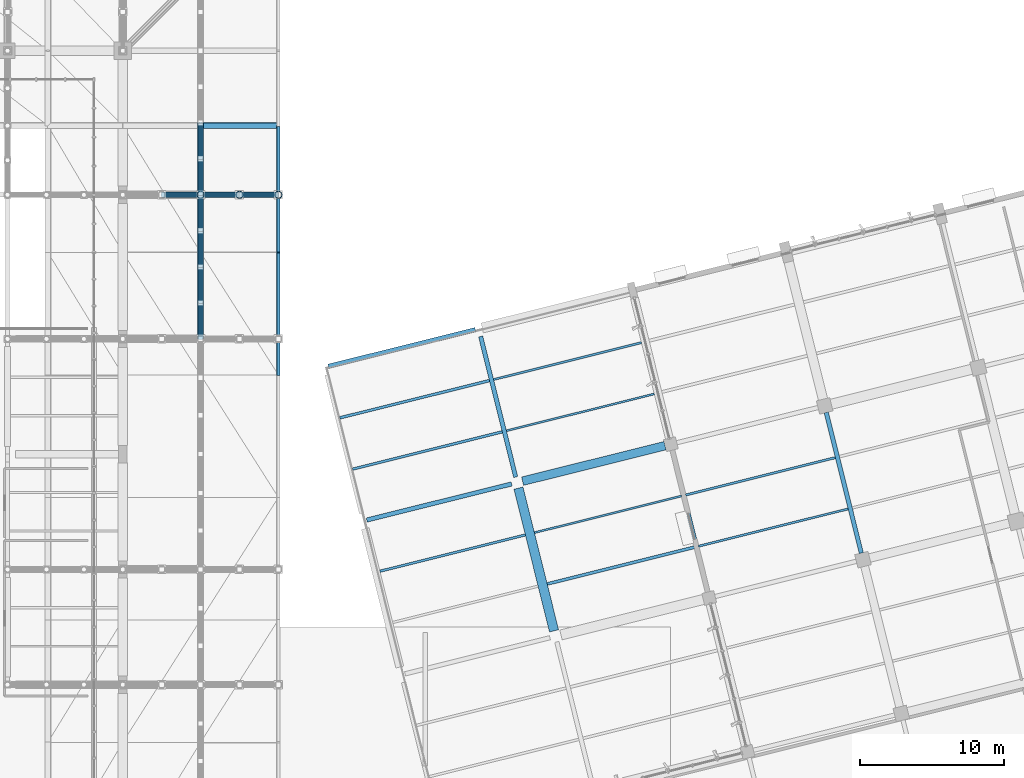
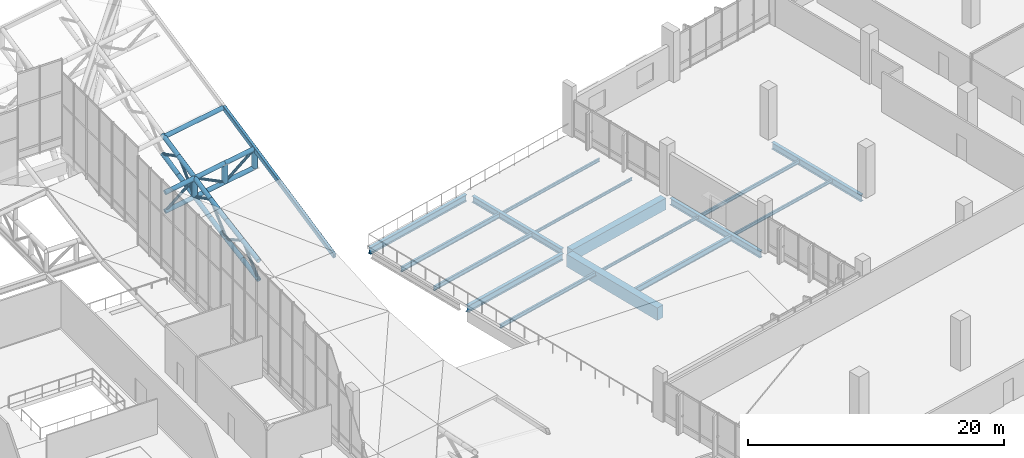
# One storey, part 88 of 137: 31 members, 18 beams.
"""IFC4 building model written with IfcOpenShell, lengths in metres."""

from ifc_helpers import new_model, si_unit, direction, frame, origin, origin_2d, place, context, subcontext, project, spatial, rectangle, hollow_rectangle, hollow_circle, i_section, extrude, material, material_profile, profile_set, type_object, element, save


model = new_model("IFC4")

# Units and contexts
model_context = context("Model", 3, precision=1e-05, world=origin(), true_north=direction((0.0, 1.0)))
body_context = subcontext(model_context, "Body", "Model", "MODEL_VIEW")
ifc_project = project(units=[si_unit("LENGTHUNIT", "METRE"), si_unit("AREAUNIT", "SQUARE_METRE"), si_unit("VOLUMEUNIT", "CUBIC_METRE"), si_unit("PLANEANGLEUNIT", "RADIAN"), si_unit("MASSUNIT", "GRAM", prefix="KILO")], contexts=[model_context])

# Site, building, storey
site_placement = place(None, origin())
site = spatial("IfcSite", under=ifc_project, at=site_placement, CompositionType="ELEMENT")
building_placement = place(site_placement, origin())
building = spatial("IfcBuilding", under=site, at=building_placement, Name="Khorjan Park Terminus", CompositionType="ELEMENT")
storey_placement = place(building_placement, frame((0.0, 0.0, 11.4)))
storey = spatial("IfcBuildingStorey", under=building, at=storey_placement, Name="L02", CompositionType="ELEMENT", Elevation=11.4)

# Beams
ifc_material_1 = material(Name="Steel S355", Category="steel")
ifc_material_profile_1 = material_profile(ifc_material_1, i_section(OverallWidth=0.3, OverallDepth=0.64, WebThickness=0.0135, FlangeThickness=0.026, FilletRadius=0.027, at=origin_2d()), Name="HEA 650")
ifc_profile_set_1 = profile_set([ifc_material_profile_1], Name="Steel S355")
beam_type_1 = type_object("IfcBeamType", Name="BM-HEA650", PredefinedType="BEAM", material=ifc_profile_set_1)
beam_1_placement = place(storey_placement, frame((152.932, 55.4255, -0.59), z_axis=(0.970296176779, 0.241920088722, 0.0), x_axis=(-0.241920088722, 0.970296176779, 0.0)))
element("IfcBeam", 1, at=beam_1_placement, inside=storey, type_object=beam_type_1, Name="Primary skew-grid floor girder SB-A65 (L02)", PredefinedType="BEAM", context=body_context, shape_type="SweptSolid", body=[
    extrude(i_section(OverallWidth=0.3, OverallDepth=0.64, WebThickness=0.0135, FlangeThickness=0.026, FilletRadius=0.027, at=origin_2d()), origin(), (0.0, 0.0, 1.0), 10.36),
])
beam_2_placement = place(storey_placement, frame((150.2709, 66.0988, -0.59), z_axis=(0.970295661671, 0.241922154716, 0.0), x_axis=(-0.241922154716, 0.970295661671, 0.0)))
element("IfcBeam", 2, at=beam_2_placement, inside=storey, type_object=beam_type_1, Name="Primary skew-grid floor girder SB-A65 (L02)", PredefinedType="BEAM", context=body_context, shape_type="SweptSolid", body=[
    extrude(i_section(OverallWidth=0.3, OverallDepth=0.64, WebThickness=0.0135, FlangeThickness=0.026, FilletRadius=0.027, at=origin_2d()), origin(), (0.0, 0.0, 1.0), 10.51),
])
beam_3_placement = place(storey_placement, frame((176.6003, 50.4228, -0.66), z_axis=(-0.241919549545, 0.97029631121, 0.0), x_axis=(-0.97029631121, -0.241919549545, 0.0)))
element("IfcBeam", 3, at=beam_3_placement, inside=storey, type_object=beam_type_1, Name="Primary skew-grid floor girder SB-A65 (L02)", PredefinedType="BEAM", context=body_context, shape_type="SweptSolid", body=[
    extrude(i_section(OverallWidth=0.3, OverallDepth=0.64, WebThickness=0.0135, FlangeThickness=0.026, FilletRadius=0.027, at=origin_2d()), origin(), (0.0, 0.0, 1.0), 10.16),
])
beam_4_placement = place(storey_placement, frame((187.2615, 53.1325, -0.66), z_axis=(-0.241920438591, 0.970296089548, 0.0), x_axis=(-0.970296089548, -0.241920438591, 0.0)))
element("IfcBeam", 4, at=beam_4_placement, inside=storey, type_object=beam_type_1, Name="Primary skew-grid floor girder SB-A65 (L02)", PredefinedType="BEAM", context=body_context, shape_type="SweptSolid", body=[
    extrude(i_section(OverallWidth=0.3, OverallDepth=0.64, WebThickness=0.0135, FlangeThickness=0.026, FilletRadius=0.027, at=origin_2d()), origin(), (0.0, 0.0, 1.0), 10.0599),
])
ifc_material_profile_2 = material_profile(ifc_material_1, i_section(OverallWidth=0.3, OverallDepth=0.6, WebThickness=0.0155, FlangeThickness=0.03, FilletRadius=0.027, at=origin_2d()), Name="HEB 600")
ifc_profile_set_2 = profile_set([ifc_material_profile_2], Name="Steel S355")
beam_type_2 = type_object("IfcBeamType", Name="BM-HEB600", PredefinedType="BEAM", material=ifc_profile_set_2)
beam_5_placement = place(storey_placement, frame((163.272, 58.4107, -0.57), z_axis=(-0.241920438591, 0.970296089548, 0.0), x_axis=(-0.970296089548, -0.241920438591, 0.0)))
element("IfcBeam", 5, at=beam_5_placement, inside=storey, type_object=beam_type_2, Name="Primary skew-grid floor girder SB-B60 (L02)", PredefinedType="BEAM", context=body_context, shape_type="SweptSolid", body=[
    extrude(i_section(OverallWidth=0.3, OverallDepth=0.6, WebThickness=0.0155, FlangeThickness=0.03, FilletRadius=0.027, at=origin_2d()), origin(), (0.0, 0.0, 1.0), 10.0599),
])
ifc_material_2 = material(Name="Concrete C40/50", Category="concrete")
ifc_material_profile_3 = material_profile(ifc_material_2, rectangle(XDim=0.6, YDim=1.1, at=origin_2d()), Name="RC 600x1100")
ifc_profile_set_3 = profile_set([ifc_material_profile_3], Name="Concrete C40/50")
beam_type_3 = type_object("IfcBeamType", Name="BM-RC600x1100", PredefinedType="BEAM", material=ifc_profile_set_3)
beam_6_placement = place(storey_placement, frame((163.7508, 58.123, -0.82), z_axis=(0.970297661932, 0.241914131974, 0.0), x_axis=(-0.241914131974, 0.970297661932, 0.0)))
element("IfcBeam", 6, at=beam_6_placement, inside=storey, type_object=beam_type_3, Name="Primary skew-grid floor girder GB-11 (L02)", PredefinedType="BEAM", context=body_context, shape_type="SweptSolid", body=[
    extrude(rectangle(XDim=0.6, YDim=1.1, at=origin_2d()), origin(), (0.0, 0.0, 1.0), 10.185),
])
ifc_material_profile_4 = material_profile(ifc_material_2, rectangle(XDim=0.65, YDim=1.2, at=origin_2d()), Name="RC 650x1200")
ifc_profile_set_4 = profile_set([ifc_material_profile_4], Name="Concrete C40/50")
beam_type_4 = type_object("IfcBeamType", Name="BM-RC650x1200", PredefinedType="BEAM", material=ifc_profile_set_4)
beam_7_placement = place(storey_placement, frame((165.9331, 47.7374, -0.87), z_axis=(-0.241920261086, 0.970296133805, 0.0), x_axis=(-0.970296133805, -0.241920261086, 0.0)))
element("IfcBeam", 7, at=beam_7_placement, inside=storey, type_object=beam_type_4, Name="Primary skew-grid floor girder GB-12 (L02)", PredefinedType="BEAM", context=body_context, shape_type="SweptSolid", body=[
    extrude(rectangle(XDim=0.65, YDim=1.2, at=origin_2d()), origin(), (0.0, 0.0, 1.0), 10.21),
])
ifc_material_profile_5 = material_profile(ifc_material_1, i_section(OverallWidth=0.135, OverallDepth=0.27, WebThickness=0.0066, FlangeThickness=0.0102, FilletRadius=0.015, at=origin_2d()), Name="IPE 270")
ifc_profile_set_5 = profile_set([ifc_material_profile_5], Name="Steel S355")
beam_type_5 = type_object("IfcBeamType", Name="JS-IPE270", PredefinedType="JOIST", material=ifc_profile_set_5)
beam_8_placement = place(storey_placement, frame((164.5699, 54.5482, -0.475), z_axis=(0.970294327804, 0.241927504493, 0.0), x_axis=(-0.241927504493, 0.970294327805, 0.0)))
element("IfcBeam", 8, at=beam_8_placement, inside=storey, type_object=beam_type_5, Name="Secondary composite floor joist SJ-27 (L02)", PredefinedType="JOIST", context=body_context, shape_type="SweptSolid", body=[
    extrude(i_section(OverallWidth=0.135, OverallDepth=0.27, WebThickness=0.0066, FlangeThickness=0.0102, FilletRadius=0.015, at=origin_2d()), origin(), (0.0, 0.0, 1.0), 10.5251),
])
beam_9_placement = place(storey_placement, frame((162.626, 61.6215, -0.475), z_axis=(0.970296385626, 0.241919251074, 0.0), x_axis=(-0.241919251074, 0.970296385626, 0.0)))
element("IfcBeam", 9, at=beam_9_placement, inside=storey, type_object=beam_type_5, Name="Secondary composite floor joist SJ-27 (L02)", PredefinedType="JOIST", context=body_context, shape_type="SweptSolid", body=[
    extrude(i_section(OverallWidth=0.135, OverallDepth=0.27, WebThickness=0.0066, FlangeThickness=0.0102, FilletRadius=0.015, at=origin_2d()), origin(), (0.0, 0.0, 1.0), 10.575),
])
ifc_material_profile_6 = material_profile(ifc_material_1, i_section(OverallWidth=0.15, OverallDepth=0.3, WebThickness=0.0071, FlangeThickness=0.0107, FilletRadius=0.015, at=origin_2d()), Name="IPE 300")
ifc_profile_set_6 = profile_set([ifc_material_profile_6], Name="Steel S355")
beam_type_6 = type_object("IfcBeamType", Name="JS-IPE300", PredefinedType="JOIST", material=ifc_profile_set_6)
beam_10_placement = place(storey_placement, frame((161.739, 65.1792, -0.49), z_axis=(0.970296385626, 0.241919251074, 0.0), x_axis=(-0.241919251074, 0.970296385626, 0.0)))
element("IfcBeam", 10, at=beam_10_placement, inside=storey, type_object=beam_type_6, Name="Secondary composite floor joist SJ-30 (L02)", PredefinedType="JOIST", context=body_context, shape_type="SweptSolid", body=[
    extrude(i_section(OverallWidth=0.15, OverallDepth=0.3, WebThickness=0.0071, FlangeThickness=0.0107, FilletRadius=0.015, at=origin_2d()), origin(), (0.0, 0.0, 1.0), 10.575),
])
beam_11_placement = place(storey_placement, frame((175.9604, 53.6094, -0.49), z_axis=(0.970297331913, 0.241915455651, 0.0), x_axis=(-0.241915455651, 0.970297331913, 0.0)))
element("IfcBeam", 11, at=beam_11_placement, inside=storey, type_object=beam_type_6, Name="Secondary composite floor joist SJ-30 (L02)", PredefinedType="JOIST", context=body_context, shape_type="SweptSolid", body=[
    extrude(i_section(OverallWidth=0.15, OverallDepth=0.3, WebThickness=0.0071, FlangeThickness=0.0107, FilletRadius=0.015, at=origin_2d()), origin(), (0.0, 0.0, 1.0), 10.7),
])
ifc_material_profile_7 = material_profile(ifc_material_1, i_section(OverallWidth=0.16, OverallDepth=0.33, WebThickness=0.0075, FlangeThickness=0.0115, FilletRadius=0.018, at=origin_2d()), Name="IPE 330")
ifc_profile_set_7 = profile_set([ifc_material_profile_7], Name="Steel S355")
beam_type_7 = type_object("IfcBeamType", Name="JS-IPE330", PredefinedType="JOIST", material=ifc_profile_set_7)
beam_12_placement = place(storey_placement, frame((175.0734, 57.1671, -0.505), z_axis=(0.970297331913, 0.241915455651, 0.0), x_axis=(-0.241915455651, 0.970297331913, 0.0)))
element("IfcBeam", 12, at=beam_12_placement, inside=storey, type_object=beam_type_7, Name="Secondary composite floor joist SJ-33 (L02)", PredefinedType="JOIST", context=body_context, shape_type="SweptSolid", body=[
    extrude(i_section(OverallWidth=0.16, OverallDepth=0.33, WebThickness=0.0075, FlangeThickness=0.0115, FilletRadius=0.018, at=origin_2d()), origin(), (0.0, 0.0, 1.0), 10.7),
])
ifc_material_profile_8 = material_profile(ifc_material_1, i_section(OverallWidth=0.17, OverallDepth=0.36, WebThickness=0.008, FlangeThickness=0.0127, FilletRadius=0.018, at=origin_2d()), Name="IPE 360")
ifc_profile_set_8 = profile_set([ifc_material_profile_8], Name="Steel S355")
beam_type_8 = type_object("IfcBeamType", Name="JS-IPE360", PredefinedType="JOIST", material=ifc_profile_set_8)
beam_13_placement = place(storey_placement, frame((153.8482, 51.875, -0.45), z_axis=(0.970295586552, 0.241922456002, 0.0), x_axis=(-0.241922456002, 0.970295586552, 0.0)))
element("IfcBeam", 13, at=beam_13_placement, inside=storey, type_object=beam_type_8, Name="Secondary composite floor joist SJ-36 (L02)", PredefinedType="JOIST", context=body_context, shape_type="SweptSolid", body=[
    extrude(i_section(OverallWidth=0.17, OverallDepth=0.36, WebThickness=0.008, FlangeThickness=0.0127, FilletRadius=0.018, at=origin_2d()), origin(), (0.0, 0.0, 1.0), 10.4),
])
ifc_material_profile_9 = material_profile(ifc_material_1, i_section(OverallWidth=0.18, OverallDepth=0.4, WebThickness=0.0086, FlangeThickness=0.0135, FilletRadius=0.021, at=origin_2d()), Name="IPE 400")
ifc_profile_set_9 = profile_set([ifc_material_profile_9], Name="Steel S355")
beam_type_9 = type_object("IfcBeamType", Name="JS-IPE400", PredefinedType="JOIST", material=ifc_profile_set_9)
beam_14_placement = place(storey_placement, frame((151.9528, 58.9603, -0.47), z_axis=(0.970294591155, 0.241926448278, 0.0), x_axis=(-0.241926448278, 0.970294591155, 0.0)))
element("IfcBeam", 14, at=beam_14_placement, inside=storey, type_object=beam_type_9, Name="Secondary composite floor joist SJ-40 (L02)", PredefinedType="JOIST", context=body_context, shape_type="SweptSolid", body=[
    extrude(i_section(OverallWidth=0.18, OverallDepth=0.4, WebThickness=0.0086, FlangeThickness=0.0135, FilletRadius=0.021, at=origin_2d()), origin(), (0.0, 0.0, 1.0), 10.6999),
])
ifc_material_profile_10 = material_profile(ifc_material_1, i_section(OverallWidth=0.19, OverallDepth=0.45, WebThickness=0.0094, FlangeThickness=0.0146, FilletRadius=0.021, at=origin_2d()), Name="IPE 450")
ifc_profile_set_10 = profile_set([ifc_material_profile_10], Name="Steel S355")
beam_type_10 = type_object("IfcBeamType", Name="JS-IPE450", PredefinedType="JOIST", material=ifc_profile_set_10)
beam_15_placement = place(storey_placement, frame((151.0658, 62.518, -0.495), z_axis=(0.970294591155, 0.241926448278, 0.0), x_axis=(-0.241926448278, 0.970294591155, 0.0)))
element("IfcBeam", 15, at=beam_15_placement, inside=storey, type_object=beam_type_10, Name="Secondary composite floor joist SJ-45 (L02)", PredefinedType="JOIST", context=body_context, shape_type="SweptSolid", body=[
    extrude(i_section(OverallWidth=0.19, OverallDepth=0.45, WebThickness=0.0094, FlangeThickness=0.0146, FilletRadius=0.021, at=origin_2d()), origin(), (0.0, 0.0, 1.0), 10.6999),
])
ifc_material_profile_11 = material_profile(ifc_material_1, i_section(OverallWidth=0.21, OverallDepth=0.55, WebThickness=0.0111, FlangeThickness=0.0172, FilletRadius=0.024, at=origin_2d()), Name="IPE 550")
ifc_profile_set_11 = profile_set([ifc_material_profile_11], Name="Steel S355")
beam_type_11 = type_object("IfcBeamType", Name="JS-IPE550", PredefinedType="JOIST", material=ifc_profile_set_11)
beam_16_placement = place(storey_placement, frame((165.457, 50.9906, -0.615), z_axis=(0.970296002015, 0.241920789668, 0.0), x_axis=(-0.241920789668, 0.970296002015, 0.0)))
element("IfcBeam", 16, at=beam_16_placement, inside=storey, type_object=beam_type_11, Name="Secondary composite floor joist SJ-55 (L02)", PredefinedType="JOIST", context=body_context, shape_type="SweptSolid", body=[
    extrude(i_section(OverallWidth=0.21, OverallDepth=0.55, WebThickness=0.0111, FlangeThickness=0.0172, FilletRadius=0.024, at=origin_2d()), origin(), (0.0, 0.0, 1.0), 10.5249),
])

# Members
ifc_material_profile_12 = material_profile(ifc_material_1, hollow_circle(Radius=0.1222, WallThickness=0.0125, at=origin_2d()), Name="CHS 244.5x12.5")
ifc_profile_set_12 = profile_set([ifc_material_profile_12], Name="Steel S355")
member_type_1 = type_object("IfcMemberType", Name="MB-BRE-245", PredefinedType="BRACE", material=ifc_profile_set_12)
member_1_placement = place(storey_placement, frame((138.7, 78.0, -0.0178), z_axis=(0.767088309459, 0.0, 0.641541522811), x_axis=(0.0, 1.0, 0.0)))
element("IfcMember", 17, at=member_1_placement, inside=storey, type_object=member_type_1, Name="Lower shell W/E truss diagonal (E4)", PredefinedType="BRACE", context=body_context, shape_type="SweptSolid", body=[
    extrude(hollow_circle(Radius=0.1222, WallThickness=0.0125, at=origin_2d()), origin(), (0.0, 0.0, 1.0), 3.5198),
])
member_2_placement = place(storey_placement, frame((141.4, 78.0, 2.2403), z_axis=(0.895485989032, 0.0, -0.445089702697), x_axis=(0.0, 1.0, 0.0)))
element("IfcMember", 18, at=member_2_placement, inside=storey, type_object=member_type_1, Name="Lower shell W/E truss diagonal (E4)", PredefinedType="BRACE", context=body_context, shape_type="SweptSolid", body=[
    extrude(hollow_circle(Radius=0.1222, WallThickness=0.0125, at=origin_2d()), origin(), (0.0, 0.0, 1.0), 3.0151),
])
member_3_placement = place(storey_placement, frame((144.1, 78.0, 0.8983), z_axis=(0.767088309459, 0.0, 0.641541522811), x_axis=(0.0, 1.0, 0.0)))
element("IfcMember", 19, at=member_3_placement, inside=storey, type_object=member_type_1, Name="Lower shell W/E truss diagonal (E4)", PredefinedType="BRACE", context=body_context, shape_type="SweptSolid", body=[
    extrude(hollow_circle(Radius=0.1222, WallThickness=0.0125, at=origin_2d()), origin(), (0.0, 0.0, 1.0), 3.5198),
])
member_4_placement = place(storey_placement, frame((141.4, 68.0, -1.4106), z_axis=(0.0, 0.748125433345, 0.66355733436), x_axis=(-1.0, 0.0, 0.0)))
element("IfcMember", 20, at=member_4_placement, inside=storey, type_object=member_type_1, Name="Lower shell mid-ring diagonal (E21)", PredefinedType="BRACE", context=body_context, shape_type="SweptSolid", body=[
    extrude(hollow_circle(Radius=0.1222, WallThickness=0.0125, at=origin_2d()), origin(), (0.0, 0.0, 1.0), 3.3417),
])
member_5_placement = place(storey_placement, frame((141.4, 70.5, 0.8068), z_axis=(0.0, 0.875075363412, -0.483986681996), x_axis=(-1.0, 0.0, 0.0)))
element("IfcMember", 21, at=member_5_placement, inside=storey, type_object=member_type_1, Name="Lower shell mid-ring diagonal (E22)", PredefinedType="BRACE", context=body_context, shape_type="SweptSolid", body=[
    extrude(hollow_circle(Radius=0.1222, WallThickness=0.0125, at=origin_2d()), origin(), (0.0, 0.0, 1.0), 2.8569),
])
member_6_placement = place(storey_placement, frame((141.4, 73.0, -0.5759), z_axis=(0.0, 0.738075017903, 0.674718658366), x_axis=(-1.0, 0.0, 0.0)))
element("IfcMember", 22, at=member_6_placement, inside=storey, type_object=member_type_1, Name="Lower shell mid-ring diagonal (E23)", PredefinedType="BRACE", context=body_context, shape_type="SweptSolid", body=[
    extrude(hollow_circle(Radius=0.1222, WallThickness=0.0125, at=origin_2d()), origin(), (0.0, 0.0, 1.0), 3.3872),
])
member_7_placement = place(storey_placement, frame((141.4, 75.5, 1.7095), z_axis=(0.0, 0.891671199046, -0.452683634332), x_axis=(-1.0, 0.0, 0.0)))
element("IfcMember", 23, at=member_7_placement, inside=storey, type_object=member_type_1, Name="Lower shell mid-ring diagonal (E24)", PredefinedType="BRACE", context=body_context, shape_type="SweptSolid", body=[
    extrude(hollow_circle(Radius=0.1222, WallThickness=0.0125, at=origin_2d()), origin(), (0.0, 0.0, 1.0), 2.8037),
])
member_8_placement = place(storey_placement, frame((141.4, 78.0, 0.4403), z_axis=(0.0, 0.731439462043, 0.681906381673), x_axis=(-1.0, 0.0, 0.0)))
element("IfcMember", 24, at=member_8_placement, inside=storey, type_object=member_type_1, Name="Lower shell mid-ring diagonal (E25)", PredefinedType="BRACE", context=body_context, shape_type="SweptSolid", body=[
    extrude(hollow_circle(Radius=0.1222, WallThickness=0.0125, at=origin_2d()), origin(), (0.0, 0.0, 1.0), 3.4179),
])
member_9_placement = place(storey_placement, frame((141.4, 80.5, 2.771), z_axis=(0.0, 0.891671199046, -0.452683634332), x_axis=(-1.0, 0.0, 0.0)))
element("IfcMember", 25, at=member_9_placement, inside=storey, type_object=member_type_1, Name="Lower shell mid-ring diagonal (E26)", PredefinedType="BRACE", context=body_context, shape_type="SweptSolid", body=[
    extrude(hollow_circle(Radius=0.1222, WallThickness=0.0125, at=origin_2d()), origin(), (0.0, 0.0, 1.0), 2.8037),
])
ifc_material_profile_13 = material_profile(ifc_material_1, hollow_circle(Radius=0.2032, WallThickness=0.016, at=origin_2d()), Name="CHS 406.4x16")
ifc_profile_set_13 = profile_set([ifc_material_profile_13], Name="Steel S355")
member_type_2 = type_object("IfcMemberType", Name="MB-CHE-406", PredefinedType="CHORD", material=ifc_profile_set_13)
member_10_placement = place(storey_placement, frame((141.4, 82.8, 3.2593), z_axis=(0.985913104802, 0.0, 0.167258332465), x_axis=(0.0, 1.0, 0.0)))
element("IfcMember", 26, at=member_10_placement, inside=storey, type_object=member_type_2, Name="Lower wrapping shell rim chord (104)", PredefinedType="CHORD", context=body_context, shape_type="SweptSolid", body=[
    extrude(hollow_circle(Radius=0.2032, WallThickness=0.016, at=origin_2d()), origin(), (0.0, 0.0, 1.0), 5.4772),
])
for number, where, z_axis, x_axis, name in (
    (27, (138.7, 78.0, 1.7822), (0.985910093926, 0.0, 0.167276079269), (0.0, 1.0, 0.0), "Lower shell W/E truss top chord (E4)"),
    (28, (138.7, 78.0, -0.0178), (0.985910093926, 0.0, 0.167276079269), (0.0, 1.0, 0.0), "Lower shell W/E truss bottom chord (E4)"),
    (29, (141.4, 78.0, 2.2403), (0.985916115378, 0.0, 0.167240585497), (0.0, 1.0, 0.0), "Lower shell W/E truss top chord (E4)"),
    (30, (141.4, 78.0, 0.4403), (0.985916115378, 0.0, 0.167240585497), (0.0, 1.0, 0.0), "Lower shell W/E truss bottom chord (E4)"),
    (31, (144.1, 78.0, 2.6983), (0.985910093926, 0.0, 0.167276079269), (0.0, 1.0, 0.0), "Lower shell W/E truss top chord (E4)"),
    (32, (144.1, 78.0, 0.8983), (0.985910093926, 0.0, 0.167276079269), (0.0, 1.0, 0.0), "Lower shell W/E truss bottom chord (E4)"),
):
    element("IfcMember", number, at=place(storey_placement, frame(where, z_axis=z_axis, x_axis=x_axis)), inside=storey, type_object=member_type_2, Name=name, PredefinedType="CHORD", context=body_context, shape_type="SweptSolid", body=[
        extrude(hollow_circle(Radius=0.2032, WallThickness=0.016, at=origin_2d()), origin(), (0.0, 0.0, 1.0), 2.7386),
    ])
for number, where, z_axis, x_axis, name in (
    (33, (141.4, 68.0, 0.3894), (0.0, 0.986346965536, 0.164680489366), (-1.0, 0.0, 0.0), "Lower shell mid-ring top chord (E21)"),
    (34, (141.4, 68.0, -1.4106), (0.0, 0.986346965536, 0.164680489366), (-1.0, 0.0, 0.0), "Lower shell mid-ring bottom chord (E21)"),
    (35, (141.4, 70.5, 0.8068), (0.0, 0.986353373407, 0.164642105089), (-1.0, 0.0, 0.0), "Lower shell mid-ring top chord (E22)"),
    (36, (141.4, 70.5, -0.9932), (0.0, 0.986353373407, 0.164642105089), (-1.0, 0.0, 0.0), "Lower shell mid-ring bottom chord (E22)"),
):
    element("IfcMember", number, at=place(storey_placement, frame(where, z_axis=z_axis, x_axis=x_axis)), inside=storey, type_object=member_type_2, Name=name, PredefinedType="CHORD", context=body_context, shape_type="SweptSolid", body=[
        extrude(hollow_circle(Radius=0.2032, WallThickness=0.016, at=origin_2d()), origin(), (0.0, 0.0, 1.0), 2.5346),
    ])
for number, where, z_axis, x_axis, name in (
    (37, (141.4, 73.0, 1.2241), (0.0, 0.981667669478, 0.190600594706), (-1.0, 0.0, 0.0), "Lower shell mid-ring top chord (E23)"),
    (38, (141.4, 73.0, -0.5759), (0.0, 0.981667669478, 0.190600594706), (-1.0, 0.0, 0.0), "Lower shell mid-ring bottom chord (E23)"),
):
    element("IfcMember", number, at=place(storey_placement, frame(where, z_axis=z_axis, x_axis=x_axis)), inside=storey, type_object=member_type_2, Name=name, PredefinedType="CHORD", context=body_context, shape_type="SweptSolid", body=[
        extrude(hollow_circle(Radius=0.2032, WallThickness=0.016, at=origin_2d()), origin(), (0.0, 0.0, 1.0), 2.5467),
    ])
for number, where, z_axis, x_axis, name in (
    (39, (141.4, 75.5, 1.7095), (0.0, 0.978194635789, 0.207690285071), (-1.0, 0.0, 0.0), "Lower shell mid-ring top chord (E24)"),
    (40, (141.4, 75.5, -0.0905), (0.0, 0.978194635789, 0.207690285071), (-1.0, 0.0, 0.0), "Lower shell mid-ring bottom chord (E24)"),
    (41, (141.4, 78.0, 2.2403), (0.0, 0.978202584398, 0.207652844616), (-1.0, 0.0, 0.0), "Lower shell mid-ring top chord (E25)"),
    (42, (141.4, 78.0, 0.4403), (0.0, 0.978202584398, 0.207652844616), (-1.0, 0.0, 0.0), "Lower shell mid-ring bottom chord (E25)"),
    (43, (141.4, 80.5, 2.771), (0.0, 0.978194635789, 0.207690285071), (-1.0, 0.0, 0.0), "Lower shell mid-ring top chord (E26)"),
    (44, (141.4, 80.5, 0.971), (0.0, 0.978194635789, 0.207690285071), (-1.0, 0.0, 0.0), "Lower shell mid-ring bottom chord (E26)"),
):
    element("IfcMember", number, at=place(storey_placement, frame(where, z_axis=z_axis, x_axis=x_axis)), inside=storey, type_object=member_type_2, Name=name, PredefinedType="CHORD", context=body_context, shape_type="SweptSolid", body=[
        extrude(hollow_circle(Radius=0.2032, WallThickness=0.016, at=origin_2d()), origin(), (0.0, 0.0, 1.0), 2.5557),
    ])
ifc_material_profile_14 = material_profile(ifc_material_1, hollow_circle(Radius=0.254, WallThickness=0.02, at=origin_2d()), Name="CHS 508x20")
ifc_profile_set_14 = profile_set([ifc_material_profile_14], Name="Steel S355")
member_type_3 = type_object("IfcMemberType", Name="MB-STE-508", PredefinedType="STRUT", material=ifc_profile_set_14)
for number, where, z_axis, x_axis, name in (
    (45, (141.4, 78.0, 0.4403), (0.0, 0.0, 1.0), (1.0, 0.0, 0.0), "Lower shell W/E truss post (E4)"),
    (46, (144.1, 78.0, 0.8983), (0.0, 0.0, 1.0), (1.0, 0.0, 0.0), "Lower shell W/E truss post (E4)"),
    (47, (146.8, 78.0, 1.3564), (0.0, 0.0, 1.0), (1.0, 0.0, 0.0), "Lower shell W/E truss post (E4)"),
):
    element("IfcMember", number, at=place(storey_placement, frame(where, z_axis=z_axis, x_axis=x_axis)), inside=storey, type_object=member_type_3, Name=name, PredefinedType="STRUT", context=body_context, shape_type="SweptSolid", body=[
        extrude(hollow_circle(Radius=0.254, WallThickness=0.02, at=origin_2d()), origin(), (0.0, 0.0, 1.0), 1.8),
    ])

# Beams
ifc_material_profile_15 = material_profile(ifc_material_1, hollow_rectangle(XDim=0.25, YDim=0.45, WallThickness=0.016, InnerFilletRadius=0.016, OuterFilletRadius=0.032, at=origin_2d()), Name="RHS 450x250x16")
ifc_profile_set_15 = profile_set([ifc_material_profile_15], Name="Steel S355")
beam_type_12 = type_object("IfcBeamType", Name="SP-RHS450", PredefinedType="SPANDREL", material=ifc_profile_set_15)
beam_17_placement = place(storey_placement, frame((146.8, 65.5, 0.4807), z_axis=(0.0, 0.978199779156, 0.207666058998), x_axis=(-1.0, 0.0, 0.0)))
element("IfcBeam", 48, at=beam_17_placement, inside=storey, type_object=beam_type_12, Name="Lower wrapping shell upturned edge beam SP-R45 (52)", PredefinedType="SPANDREL", context=body_context, shape_type="SweptSolid", body=[
    extrude(hollow_rectangle(XDim=0.25, YDim=0.45, WallThickness=0.016, InnerFilletRadius=0.016, OuterFilletRadius=0.032, at=origin_2d()), origin(), (0.0, 0.0, 1.0), 8.6894),
])
beam_18_placement = place(storey_placement, frame((146.8, 74.0, 2.2852), z_axis=(0.0, 0.978199513499, 0.207667310354), x_axis=(-1.0, 0.0, 0.0)))
element("IfcBeam", 49, at=beam_18_placement, inside=storey, type_object=beam_type_12, Name="Lower wrapping shell upturned edge beam SP-R45 (53)", PredefinedType="SPANDREL", context=body_context, shape_type="SweptSolid", body=[
    extrude(hollow_rectangle(XDim=0.25, YDim=0.45, WallThickness=0.016, InnerFilletRadius=0.016, OuterFilletRadius=0.032, at=origin_2d()), origin(), (0.0, 0.0, 1.0), 8.9961),
])

save(model, "model.ifc")
